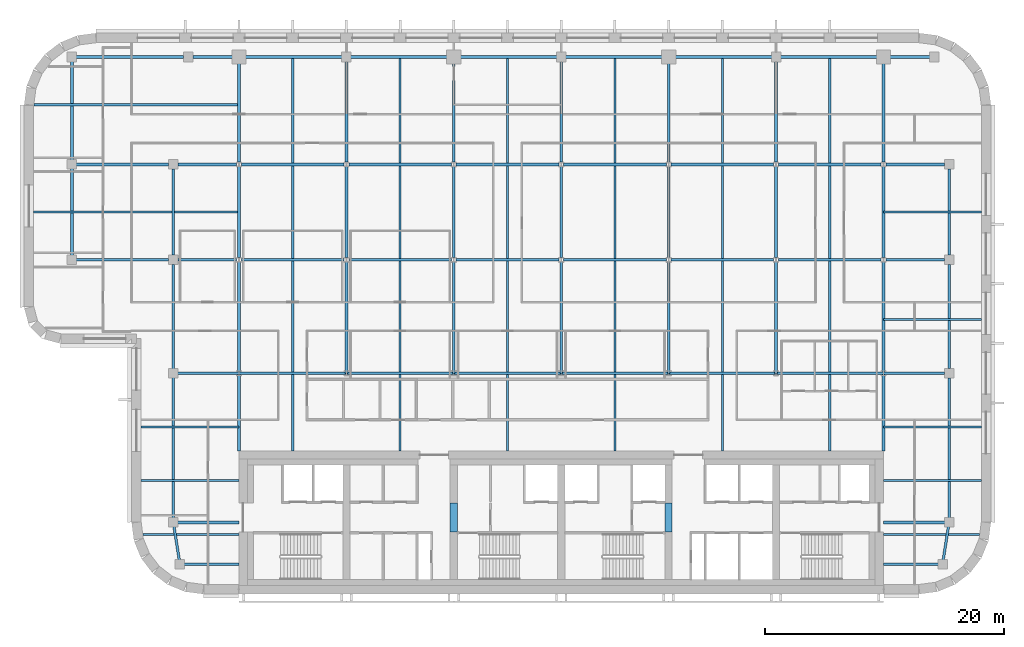
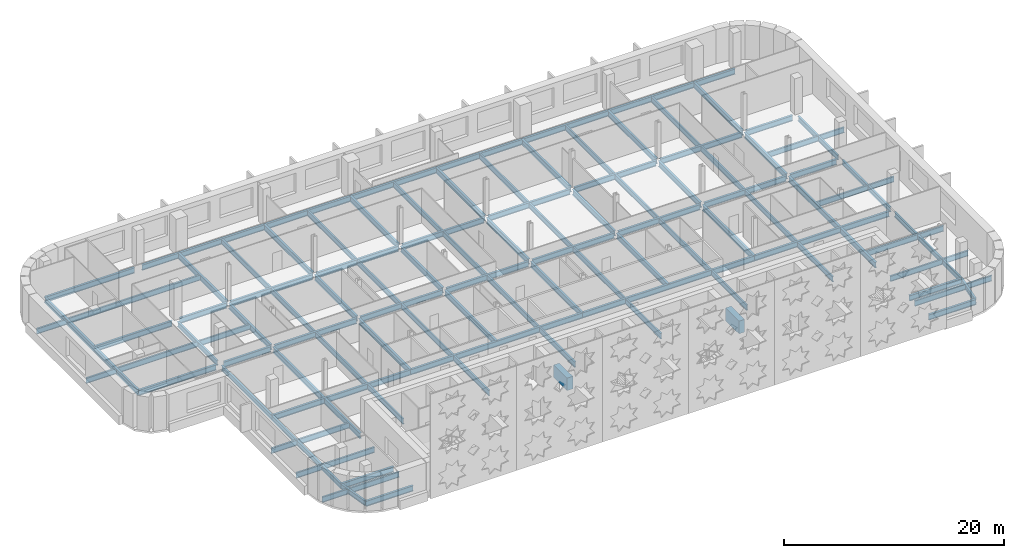
# One storey, part 5 of 18: 80 beams.
"""IFC4 building model written with IfcOpenShell, lengths in metres."""

from ifc_helpers import new_model, si_unit, direction, frame, origin, origin_2d, place, context, subcontext, project, spatial, rectangle, i_section, extrude, material, material_profile, profile_set, type_object, element, save


model = new_model("IFC4")

# Units and contexts
model_context = context("Model", 3, precision=1e-05, world=origin(), true_north=direction((0.0, 1.0)))
body_context = subcontext(model_context, "Body", "Model", "MODEL_VIEW")
ifc_project = project(units=[si_unit("LENGTHUNIT", "METRE"), si_unit("AREAUNIT", "SQUARE_METRE"), si_unit("VOLUMEUNIT", "CUBIC_METRE"), si_unit("PLANEANGLEUNIT", "RADIAN"), si_unit("MASSUNIT", "GRAM", prefix="KILO")], contexts=[model_context])

# Site, building, storey
site_placement = place(None, origin())
site = spatial("IfcSite", under=ifc_project, at=site_placement, CompositionType="ELEMENT")
building_placement = place(site_placement, origin())
building = spatial("IfcBuilding", under=site, at=building_placement, Name="Zellij Exchange Tower", CompositionType="ELEMENT")
storey_placement = place(building_placement, frame((0.0, 0.0, 228.5)))
storey = spatial("IfcBuildingStorey", under=building, at=storey_placement, Name="L53", CompositionType="ELEMENT", Elevation=228.5)

# Beams
ifc_material_1 = material(Name="Concrete C50/60", Category="concrete")
ifc_material_profile_1 = material_profile(ifc_material_1, rectangle(XDim=0.60009765625, YDim=1.39990234375, at=origin_2d()), Name="CORE-CB 600x1400 C50/60")
ifc_profile_set_1 = profile_set([ifc_material_profile_1], Name="Concrete C50/60")
beam_type_1 = type_object("IfcBeamType", Name="CORE-CB 600x1400 C50/60", PredefinedType="BEAM", material=ifc_profile_set_1)
for number, where, z_axis, x_axis, name in (
    (1, (-9.0, -8.800048828125, 3.10009765625), (0.0, 1.0, 0.0), (-1.0, 0.0, 0.0), "Core coupling beam x -9 L53"),
    (2, (9.0, -8.800048828125, 3.10009765625), (0.0, 1.0, 0.0), (-1.0, 0.0, 0.0), "Core coupling beam x 9 L53"),
):
    element("IfcBeam", number, at=place(storey_placement, frame(where, z_axis=z_axis, x_axis=x_axis)), inside=storey, type_object=beam_type_1, Name=name, PredefinedType="BEAM", context=body_context, shape_type="SweptSolid", body=[
        extrude(rectangle(XDim=0.60009765625, YDim=1.39990234375, at=origin_2d()), origin(), (0.0, 0.0, 1.0), 2.425048828125),
    ])
ifc_material_2 = material(Name="Structural steel ASTM A992 Gr 50", Category="steel")
ifc_material_profile_2 = material_profile(ifc_material_2, i_section(OverallWidth=0.177978515625, OverallDepth=0.599365234375, WebThickness=0.010009765625, FlangeThickness=0.012939453125, at=origin_2d()), Name="W24x55")
ifc_profile_set_2 = profile_set([ifc_material_profile_2], Name="Structural steel ASTM A992 Gr 50")
beam_type_2 = type_object("IfcBeamType", Name="STR-BEAM W24x55", PredefinedType="BEAM", material=ifc_profile_set_2)
for number, where, z_axis, x_axis, name in (
    (3, (-22.5, -2.0, -0.499755859375), (0.0, 1.0, 0.0), (-1.0, 0.0, 0.0), "B4"),
    (4, (-13.5, -2.0, -0.499755859375), (0.0, 1.0, 0.0), (-1.0, 0.0, 0.0), "B4"),
    (5, (-4.5, -2.0, -0.499755859375), (0.0, 1.0, 0.0), (-1.0, 0.0, 0.0), "B4"),
    (6, (4.5, -2.0, -0.499755859375), (0.0, 1.0, 0.0), (-1.0, 0.0, 0.0), "B4"),
    (7, (13.5, -2.0, -0.499755859375), (0.0, 1.0, 0.0), (-1.0, 0.0, 0.0), "B4"),
    (8, (22.5, -2.0, -0.499755859375), (0.0, 1.0, 0.0), (-1.0, 0.0, 0.0), "B4"),
):
    element("IfcBeam", number, at=place(storey_placement, frame(where, z_axis=z_axis, x_axis=x_axis)), inside=storey, type_object=beam_type_2, Name=name, PredefinedType="BEAM", context=body_context, shape_type="SweptSolid", body=[
        extrude(i_section(OverallWidth=0.177978515625, OverallDepth=0.599365234375, WebThickness=0.010009765625, FlangeThickness=0.012939453125, at=origin_2d()), origin(), (0.0, 0.0, 1.0), 33.1142578125),
    ])
beam_1_placement = place(storey_placement, frame((-35.06103515625, -9.0, -0.499755859375), z_axis=(1.0, 0.0, 0.0), x_axis=(0.0, 1.0, 0.0)))
element("IfcBeam", 9, at=beam_1_placement, inside=storey, type_object=beam_type_2, Name="B4", PredefinedType="BEAM", context=body_context, shape_type="SweptSolid", body=[
    extrude(i_section(OverallWidth=0.177978515625, OverallDepth=0.599365234375, WebThickness=0.010009765625, FlangeThickness=0.012939453125, at=origin_2d()), origin(), (0.0, 0.0, 1.0), 8.06103515625),
])
for number, where, z_axis, x_axis, name in (
    (10, (-35.199951171875, -4.5, -0.499755859375), (1.0, 0.0, 0.0), (0.0, 1.0, 0.0), "B4"),
    (11, (-35.199951171875, 0.0, -0.499755859375), (1.0, 0.0, 0.0), (0.0, 1.0, 0.0), "B4"),
):
    element("IfcBeam", number, at=place(storey_placement, frame(where, z_axis=z_axis, x_axis=x_axis)), inside=storey, type_object=beam_type_2, Name=name, PredefinedType="BEAM", context=body_context, shape_type="SweptSolid", body=[
        extrude(i_section(OverallWidth=0.177978515625, OverallDepth=0.599365234375, WebThickness=0.010009765625, FlangeThickness=0.012939453125, at=origin_2d()), origin(), (0.0, 0.0, 1.0), 8.199951171875),
    ])
beam_2_placement = place(storey_placement, frame((-44.199951171875, 18.0, -0.499755859375), z_axis=(1.0, 0.0, 0.0), x_axis=(0.0, 1.0, 0.0)))
element("IfcBeam", 12, at=beam_2_placement, inside=storey, type_object=beam_type_2, Name="B4", PredefinedType="BEAM", context=body_context, shape_type="SweptSolid", body=[
    extrude(i_section(OverallWidth=0.177978515625, OverallDepth=0.599365234375, WebThickness=0.010009765625, FlangeThickness=0.012939453125, at=origin_2d()), origin(), (0.0, 0.0, 1.0), 17.199951171875),
])
beam_3_placement = place(storey_placement, frame((-44.193115234375, 27.0, -0.499755859375), z_axis=(1.0, 0.0, 0.0), x_axis=(0.0, 1.0, 0.0)))
element("IfcBeam", 13, at=beam_3_placement, inside=storey, type_object=beam_type_2, Name="B4", PredefinedType="BEAM", context=body_context, shape_type="SweptSolid", body=[
    extrude(i_section(OverallWidth=0.177978515625, OverallDepth=0.599365234375, WebThickness=0.010009765625, FlangeThickness=0.012939453125, at=origin_2d()), origin(), (0.0, 0.0, 1.0), 17.193115234375),
])
beam_4_placement = place(storey_placement, frame((27.0, -9.0, -0.499755859375), z_axis=(1.0, 0.0, 0.0), x_axis=(0.0, 1.0, 0.0)))
element("IfcBeam", 14, at=beam_4_placement, inside=storey, type_object=beam_type_2, Name="B4", PredefinedType="BEAM", context=body_context, shape_type="SweptSolid", body=[
    extrude(i_section(OverallWidth=0.177978515625, OverallDepth=0.599365234375, WebThickness=0.010009765625, FlangeThickness=0.012939453125, at=origin_2d()), origin(), (0.0, 0.0, 1.0), 8.06103515625),
])
for number, where, z_axis, x_axis, name in (
    (15, (27.0, -4.5, -0.499755859375), (1.0, 0.0, 0.0), (0.0, 1.0, 0.0), "B4"),
    (16, (27.0, 0.0, -0.499755859375), (1.0, 0.0, 0.0), (0.0, 1.0, 0.0), "B4"),
    (17, (27.0, 9.0, -0.499755859375), (1.0, 0.0, 0.0), (0.0, 1.0, 0.0), "B4"),
    (18, (27.0, 18.0, -0.499755859375), (1.0, 0.0, 0.0), (0.0, 1.0, 0.0), "B4"),
):
    element("IfcBeam", number, at=place(storey_placement, frame(where, z_axis=z_axis, x_axis=x_axis)), inside=storey, type_object=beam_type_2, Name=name, PredefinedType="BEAM", context=body_context, shape_type="SweptSolid", body=[
        extrude(i_section(OverallWidth=0.177978515625, OverallDepth=0.599365234375, WebThickness=0.010009765625, FlangeThickness=0.012939453125, at=origin_2d()), origin(), (0.0, 0.0, 1.0), 8.199951171875),
    ])
ifc_material_profile_3 = material_profile(ifc_material_2, i_section(OverallWidth=0.209228515625, OverallDepth=0.533447265625, WebThickness=0.01025390625, FlangeThickness=0.015625, at=origin_2d()), Name="W21x62")
ifc_profile_set_3 = profile_set([ifc_material_profile_3], Name="Structural steel ASTM A992 Gr 50")
beam_type_3 = type_object("IfcBeamType", Name="STR-EDGE GIRDER W21x62", PredefinedType="BEAM", material=ifc_profile_set_3)
beam_5_placement = place(storey_placement, frame((-31.949951171875, -11.5, -0.466796875), z_axis=(-0.155251283593, 0.987875011802, 0.0), x_axis=(-0.987875011802, -0.155251283593, 0.0)))
element("IfcBeam", 19, at=beam_5_placement, inside=storey, type_object=beam_type_3, Name="EB3", PredefinedType="BEAM", context=body_context, shape_type="SweptSolid", body=[
    extrude(i_section(OverallWidth=0.209228515625, OverallDepth=0.533447265625, WebThickness=0.01025390625, FlangeThickness=0.015625, at=origin_2d()), origin(), (0.0, 0.0, 1.0), 3.54296875),
])
beam_6_placement = place(storey_placement, frame((-32.5, -8.0, -0.466796875), z_axis=(0.0, 1.0, 0.0), x_axis=(-1.0, 0.0, 0.0)))
element("IfcBeam", 20, at=beam_6_placement, inside=storey, type_object=beam_type_3, Name="EB3", PredefinedType="BEAM", context=body_context, shape_type="SweptSolid", body=[
    extrude(i_section(OverallWidth=0.209228515625, OverallDepth=0.533447265625, WebThickness=0.01025390625, FlangeThickness=0.015625, at=origin_2d()), origin(), (0.0, 0.0, 1.0), 12.5),
])
beam_7_placement = place(storey_placement, frame((-32.5, 4.5, -0.466796875), z_axis=(0.0, 1.0, 0.0), x_axis=(-1.0, 0.0, 0.0)))
element("IfcBeam", 21, at=beam_7_placement, inside=storey, type_object=beam_type_3, Name="EB3", PredefinedType="BEAM", context=body_context, shape_type="SweptSolid", body=[
    extrude(i_section(OverallWidth=0.209228515625, OverallDepth=0.533447265625, WebThickness=0.01025390625, FlangeThickness=0.015625, at=origin_2d()), origin(), (0.0, 0.0, 1.0), 9.10009765625),
])
beam_8_placement = place(storey_placement, frame((-32.5, 14.39990234375, -0.466796875), z_axis=(0.0, 1.0, 0.0), x_axis=(-1.0, 0.0, 0.0)))
element("IfcBeam", 22, at=beam_8_placement, inside=storey, type_object=beam_type_3, Name="EB3", PredefinedType="BEAM", context=body_context, shape_type="SweptSolid", body=[
    extrude(i_section(OverallWidth=0.209228515625, OverallDepth=0.533447265625, WebThickness=0.01025390625, FlangeThickness=0.015625, at=origin_2d()), origin(), (0.0, 0.0, 1.0), 7.2001953125),
])
beam_9_placement = place(storey_placement, frame((31.949951171875, -11.5, -0.466796875), z_axis=(0.155251283593, 0.987875011802, 0.0), x_axis=(-0.987875011802, 0.155251283593, 0.0)))
element("IfcBeam", 23, at=beam_9_placement, inside=storey, type_object=beam_type_3, Name="EB3", PredefinedType="BEAM", context=body_context, shape_type="SweptSolid", body=[
    extrude(i_section(OverallWidth=0.209228515625, OverallDepth=0.533447265625, WebThickness=0.01025390625, FlangeThickness=0.015625, at=origin_2d()), origin(), (0.0, 0.0, 1.0), 3.54296875),
])
beam_10_placement = place(storey_placement, frame((32.5, -8.0, -0.466796875), z_axis=(0.0, 1.0, 0.0), x_axis=(-1.0, 0.0, 0.0)))
element("IfcBeam", 24, at=beam_10_placement, inside=storey, type_object=beam_type_3, Name="EB3", PredefinedType="BEAM", context=body_context, shape_type="SweptSolid", body=[
    extrude(i_section(OverallWidth=0.209228515625, OverallDepth=0.533447265625, WebThickness=0.01025390625, FlangeThickness=0.015625, at=origin_2d()), origin(), (0.0, 0.0, 1.0), 12.10009765625),
])
beam_11_placement = place(storey_placement, frame((32.5, 4.89990234375, -0.466796875), z_axis=(0.0, 1.0, 0.0), x_axis=(-1.0, 0.0, 0.0)))
element("IfcBeam", 25, at=beam_11_placement, inside=storey, type_object=beam_type_3, Name="EB3", PredefinedType="BEAM", context=body_context, shape_type="SweptSolid", body=[
    extrude(i_section(OverallWidth=0.209228515625, OverallDepth=0.533447265625, WebThickness=0.01025390625, FlangeThickness=0.015625, at=origin_2d()), origin(), (0.0, 0.0, 1.0), 8.7001953125),
])
beam_12_placement = place(storey_placement, frame((32.5, 14.39990234375, -0.466796875), z_axis=(0.0, 1.0, 0.0), x_axis=(-1.0, 0.0, 0.0)))
element("IfcBeam", 26, at=beam_12_placement, inside=storey, type_object=beam_type_3, Name="EB3", PredefinedType="BEAM", context=body_context, shape_type="SweptSolid", body=[
    extrude(i_section(OverallWidth=0.209228515625, OverallDepth=0.533447265625, WebThickness=0.01025390625, FlangeThickness=0.015625, at=origin_2d()), origin(), (0.0, 0.0, 1.0), 7.2001953125),
])
ifc_material_profile_4 = material_profile(ifc_material_2, i_section(OverallWidth=0.228271484375, OverallDepth=0.607177734375, WebThickness=0.01123046875, FlangeThickness=0.017333984375, at=origin_2d()), Name="W24x76")
ifc_profile_set_4 = profile_set([ifc_material_profile_4], Name="Structural steel ASTM A992 Gr 50")
beam_type_4 = type_object("IfcBeamType", Name="STR-GIRDER W24x76", PredefinedType="BEAM", material=ifc_profile_set_4)
for number, where, z_axis, x_axis, name in (
    (27, (-31.949951171875, -11.5, -0.50341796875), (1.0, 0.0, 0.0), (0.0, 1.0, 0.0), "G2"),
    (28, (27.0, -11.5, -0.50341796875), (1.0, 0.0, 0.0), (0.0, 1.0, 0.0), "G2"),
):
    element("IfcBeam", number, at=place(storey_placement, frame(where, z_axis=z_axis, x_axis=x_axis)), inside=storey, type_object=beam_type_4, Name=name, PredefinedType="BEAM", context=body_context, shape_type="SweptSolid", body=[
        extrude(i_section(OverallWidth=0.228271484375, OverallDepth=0.607177734375, WebThickness=0.01123046875, FlangeThickness=0.017333984375, at=origin_2d()), origin(), (0.0, 0.0, 1.0), 4.949951171875),
    ])
for number, where, z_axis, x_axis, name in (
    (29, (-32.5, -8.0, -0.50341796875), (1.0, 0.0, 0.0), (0.0, 1.0, 0.0), "G2"),
    (30, (27.0, -8.0, -0.50341796875), (1.0, 0.0, 0.0), (0.0, 1.0, 0.0), "G2"),
):
    element("IfcBeam", number, at=place(storey_placement, frame(where, z_axis=z_axis, x_axis=x_axis)), inside=storey, type_object=beam_type_4, Name=name, PredefinedType="BEAM", context=body_context, shape_type="SweptSolid", body=[
        extrude(i_section(OverallWidth=0.228271484375, OverallDepth=0.607177734375, WebThickness=0.01123046875, FlangeThickness=0.017333984375, at=origin_2d()), origin(), (0.0, 0.0, 1.0), 5.5),
    ])
beam_13_placement = place(storey_placement, frame((-32.5, 4.5, -0.50341796875), z_axis=(1.0, 0.0, 0.0), x_axis=(0.0, 1.0, 0.0)))
element("IfcBeam", 31, at=beam_13_placement, inside=storey, type_object=beam_type_4, Name="G2", PredefinedType="BEAM", context=body_context, shape_type="SweptSolid", body=[
    extrude(i_section(OverallWidth=0.228271484375, OverallDepth=0.607177734375, WebThickness=0.01123046875, FlangeThickness=0.017333984375, at=origin_2d()), origin(), (0.0, 0.0, 1.0), 14.5),
])
for number, where, z_axis, x_axis, name in (
    (32, (-18.0, 4.5, -0.50341796875), (1.0, 0.0, 0.0), (0.0, 1.0, 0.0), "G2"),
    (33, (0.0, 4.5, -0.50341796875), (1.0, 0.0, 0.0), (0.0, 1.0, 0.0), "G2"),
):
    element("IfcBeam", number, at=place(storey_placement, frame(where, z_axis=z_axis, x_axis=x_axis)), inside=storey, type_object=beam_type_4, Name=name, PredefinedType="BEAM", context=body_context, shape_type="SweptSolid", body=[
        extrude(i_section(OverallWidth=0.228271484375, OverallDepth=0.607177734375, WebThickness=0.01123046875, FlangeThickness=0.017333984375, at=origin_2d()), origin(), (0.0, 0.0, 1.0), 18.0),
    ])
beam_14_placement = place(storey_placement, frame((18.0, 4.5, -0.50341796875), z_axis=(1.0, 0.0, 0.0), x_axis=(0.0, 1.0, 0.0)))
element("IfcBeam", 34, at=beam_14_placement, inside=storey, type_object=beam_type_4, Name="G2", PredefinedType="BEAM", context=body_context, shape_type="SweptSolid", body=[
    extrude(i_section(OverallWidth=0.228271484375, OverallDepth=0.607177734375, WebThickness=0.01123046875, FlangeThickness=0.017333984375, at=origin_2d()), origin(), (0.0, 0.0, 1.0), 14.10009765625),
])
beam_15_placement = place(storey_placement, frame((-41.0, 14.0, -0.50341796875), z_axis=(1.0, 0.0, 0.0), x_axis=(0.0, 1.0, 0.0)))
element("IfcBeam", 35, at=beam_15_placement, inside=storey, type_object=beam_type_4, Name="G2", PredefinedType="BEAM", context=body_context, shape_type="SweptSolid", body=[
    extrude(i_section(OverallWidth=0.228271484375, OverallDepth=0.607177734375, WebThickness=0.01123046875, FlangeThickness=0.017333984375, at=origin_2d()), origin(), (0.0, 0.0, 1.0), 8.10009765625),
])
beam_16_placement = place(storey_placement, frame((-32.10009765625, 14.0, -0.50341796875), z_axis=(1.0, 0.0, 0.0), x_axis=(0.0, 1.0, 0.0)))
element("IfcBeam", 36, at=beam_16_placement, inside=storey, type_object=beam_type_4, Name="G2", PredefinedType="BEAM", context=body_context, shape_type="SweptSolid", body=[
    extrude(i_section(OverallWidth=0.228271484375, OverallDepth=0.607177734375, WebThickness=0.01123046875, FlangeThickness=0.017333984375, at=origin_2d()), origin(), (0.0, 0.0, 1.0), 4.900634765625),
])
for number, where, z_axis, x_axis, name in (
    (37, (-26.800537109375, 14.0, -0.50341796875), (1.0, 0.0, 0.0), (0.0, 1.0, 0.0), "G2"),
    (38, (-17.800537109375, 14.0, -0.50341796875), (1.0, 0.0, 0.0), (0.0, 1.0, 0.0), "G2"),
    (39, (-8.800537109375, 14.0, -0.50341796875), (1.0, 0.0, 0.0), (0.0, 1.0, 0.0), "G2"),
    (40, (0.199462890625, 14.0, -0.50341796875), (1.0, 0.0, 0.0), (0.0, 1.0, 0.0), "G2"),
    (41, (9.199462890625, 14.0, -0.50341796875), (1.0, 0.0, 0.0), (0.0, 1.0, 0.0), "G2"),
    (42, (18.199462890625, 14.0, -0.50341796875), (1.0, 0.0, 0.0), (0.0, 1.0, 0.0), "G2"),
):
    element("IfcBeam", number, at=place(storey_placement, frame(where, z_axis=z_axis, x_axis=x_axis)), inside=storey, type_object=beam_type_4, Name=name, PredefinedType="BEAM", context=body_context, shape_type="SweptSolid", body=[
        extrude(i_section(OverallWidth=0.228271484375, OverallDepth=0.607177734375, WebThickness=0.01123046875, FlangeThickness=0.017333984375, at=origin_2d()), origin(), (0.0, 0.0, 1.0), 8.60107421875),
    ])
beam_17_placement = place(storey_placement, frame((27.199462890625, 14.0, -0.50341796875), z_axis=(1.0, 0.0, 0.0), x_axis=(0.0, 1.0, 0.0)))
element("IfcBeam", 43, at=beam_17_placement, inside=storey, type_object=beam_type_4, Name="G2", PredefinedType="BEAM", context=body_context, shape_type="SweptSolid", body=[
    extrude(i_section(OverallWidth=0.228271484375, OverallDepth=0.607177734375, WebThickness=0.01123046875, FlangeThickness=0.017333984375, at=origin_2d()), origin(), (0.0, 0.0, 1.0), 4.900634765625),
])
beam_18_placement = place(storey_placement, frame((-41.0, 22.0, -0.50341796875), z_axis=(1.0, 0.0, 0.0), x_axis=(0.0, 1.0, 0.0)))
element("IfcBeam", 44, at=beam_18_placement, inside=storey, type_object=beam_type_4, Name="G2", PredefinedType="BEAM", context=body_context, shape_type="SweptSolid", body=[
    extrude(i_section(OverallWidth=0.228271484375, OverallDepth=0.607177734375, WebThickness=0.01123046875, FlangeThickness=0.017333984375, at=origin_2d()), origin(), (0.0, 0.0, 1.0), 8.10009765625),
])
beam_19_placement = place(storey_placement, frame((-32.10009765625, 22.0, -0.50341796875), z_axis=(1.0, 0.0, 0.0), x_axis=(0.0, 1.0, 0.0)))
element("IfcBeam", 45, at=beam_19_placement, inside=storey, type_object=beam_type_4, Name="G2", PredefinedType="BEAM", context=body_context, shape_type="SweptSolid", body=[
    extrude(i_section(OverallWidth=0.228271484375, OverallDepth=0.607177734375, WebThickness=0.01123046875, FlangeThickness=0.017333984375, at=origin_2d()), origin(), (0.0, 0.0, 1.0), 4.900634765625),
])
for number, where, z_axis, x_axis, name in (
    (46, (-26.800537109375, 22.0, -0.50341796875), (1.0, 0.0, 0.0), (0.0, 1.0, 0.0), "G2"),
    (47, (-17.800537109375, 22.0, -0.50341796875), (1.0, 0.0, 0.0), (0.0, 1.0, 0.0), "G2"),
    (48, (-8.800537109375, 22.0, -0.50341796875), (1.0, 0.0, 0.0), (0.0, 1.0, 0.0), "G2"),
    (49, (0.199462890625, 22.0, -0.50341796875), (1.0, 0.0, 0.0), (0.0, 1.0, 0.0), "G2"),
    (50, (9.199462890625, 22.0, -0.50341796875), (1.0, 0.0, 0.0), (0.0, 1.0, 0.0), "G2"),
    (51, (18.199462890625, 22.0, -0.50341796875), (1.0, 0.0, 0.0), (0.0, 1.0, 0.0), "G2"),
):
    element("IfcBeam", number, at=place(storey_placement, frame(where, z_axis=z_axis, x_axis=x_axis)), inside=storey, type_object=beam_type_4, Name=name, PredefinedType="BEAM", context=body_context, shape_type="SweptSolid", body=[
        extrude(i_section(OverallWidth=0.228271484375, OverallDepth=0.607177734375, WebThickness=0.01123046875, FlangeThickness=0.017333984375, at=origin_2d()), origin(), (0.0, 0.0, 1.0), 8.60107421875),
    ])
beam_20_placement = place(storey_placement, frame((27.199462890625, 22.0, -0.50341796875), z_axis=(1.0, 0.0, 0.0), x_axis=(0.0, 1.0, 0.0)))
element("IfcBeam", 52, at=beam_20_placement, inside=storey, type_object=beam_type_4, Name="G2", PredefinedType="BEAM", context=body_context, shape_type="SweptSolid", body=[
    extrude(i_section(OverallWidth=0.228271484375, OverallDepth=0.607177734375, WebThickness=0.01123046875, FlangeThickness=0.017333984375, at=origin_2d()), origin(), (0.0, 0.0, 1.0), 4.900634765625),
])
beam_21_placement = place(storey_placement, frame((-41.0, 31.0, -0.50341796875), z_axis=(1.0, 0.0, 0.0), x_axis=(0.0, 1.0, 0.0)))
element("IfcBeam", 53, at=beam_21_placement, inside=storey, type_object=beam_type_4, Name="G2", PredefinedType="BEAM", context=body_context, shape_type="SweptSolid", body=[
    extrude(i_section(OverallWidth=0.228271484375, OverallDepth=0.607177734375, WebThickness=0.01123046875, FlangeThickness=0.017333984375, at=origin_2d()), origin(), (0.0, 0.0, 1.0), 9.35009765625),
])
beam_22_placement = place(storey_placement, frame((-30.85009765625, 31.0, -0.50341796875), z_axis=(1.0, 0.0, 0.0), x_axis=(0.0, 1.0, 0.0)))
element("IfcBeam", 54, at=beam_22_placement, inside=storey, type_object=beam_type_4, Name="G2", PredefinedType="BEAM", context=body_context, shape_type="SweptSolid", body=[
    extrude(i_section(OverallWidth=0.228271484375, OverallDepth=0.607177734375, WebThickness=0.01123046875, FlangeThickness=0.017333984375, at=origin_2d()), origin(), (0.0, 0.0, 1.0), 3.85009765625),
])
for number, where, z_axis, x_axis, name in (
    (55, (-27.0, 31.0, -0.50341796875), (1.0, 0.0, 0.0), (0.0, 1.0, 0.0), "G2"),
    (56, (-9.0, 31.0, -0.50341796875), (1.0, 0.0, 0.0), (0.0, 1.0, 0.0), "G2"),
    (57, (9.0, 31.0, -0.50341796875), (1.0, 0.0, 0.0), (0.0, 1.0, 0.0), "G2"),
):
    element("IfcBeam", number, at=place(storey_placement, frame(where, z_axis=z_axis, x_axis=x_axis)), inside=storey, type_object=beam_type_4, Name=name, PredefinedType="BEAM", context=body_context, shape_type="SweptSolid", body=[
        extrude(i_section(OverallWidth=0.228271484375, OverallDepth=0.607177734375, WebThickness=0.01123046875, FlangeThickness=0.017333984375, at=origin_2d()), origin(), (0.0, 0.0, 1.0), 18.0),
    ])
beam_23_placement = place(storey_placement, frame((27.0, 31.0, -0.50341796875), z_axis=(1.0, 0.0, 0.0), x_axis=(0.0, 1.0, 0.0)))
element("IfcBeam", 58, at=beam_23_placement, inside=storey, type_object=beam_type_4, Name="G2", PredefinedType="BEAM", context=body_context, shape_type="SweptSolid", body=[
    extrude(i_section(OverallWidth=0.228271484375, OverallDepth=0.607177734375, WebThickness=0.01123046875, FlangeThickness=0.017333984375, at=origin_2d()), origin(), (0.0, 0.0, 1.0), 4.25),
])
beam_24_placement = place(storey_placement, frame((-41.0, 14.0, -0.50341796875), z_axis=(0.0, 1.0, 0.0), x_axis=(-1.0, 0.0, 0.0)))
element("IfcBeam", 59, at=beam_24_placement, inside=storey, type_object=beam_type_4, Name="G2", PredefinedType="BEAM", context=body_context, shape_type="SweptSolid", body=[
    extrude(i_section(OverallWidth=0.228271484375, OverallDepth=0.607177734375, WebThickness=0.01123046875, FlangeThickness=0.017333984375, at=origin_2d()), origin(), (0.0, 0.0, 1.0), 17.0),
])
beam_25_placement = place(storey_placement, frame((-27.0, -2.0, -0.50341796875), z_axis=(0.0, 1.0, 0.0), x_axis=(-1.0, 0.0, 0.0)))
element("IfcBeam", 60, at=beam_25_placement, inside=storey, type_object=beam_type_4, Name="G2", PredefinedType="BEAM", context=body_context, shape_type="SweptSolid", body=[
    extrude(i_section(OverallWidth=0.228271484375, OverallDepth=0.607177734375, WebThickness=0.01123046875, FlangeThickness=0.017333984375, at=origin_2d()), origin(), (0.0, 0.0, 1.0), 15.806884765625),
])
beam_26_placement = place(storey_placement, frame((-27.0, 14.193115234375, -0.50341796875), z_axis=(0.0, 1.0, 0.0), x_axis=(-1.0, 0.0, 0.0)))
element("IfcBeam", 61, at=beam_26_placement, inside=storey, type_object=beam_type_4, Name="G2", PredefinedType="BEAM", context=body_context, shape_type="SweptSolid", body=[
    extrude(i_section(OverallWidth=0.228271484375, OverallDepth=0.607177734375, WebThickness=0.01123046875, FlangeThickness=0.017333984375, at=origin_2d()), origin(), (0.0, 0.0, 1.0), 7.61376953125),
])
beam_27_placement = place(storey_placement, frame((-27.0, 22.193115234375, -0.50341796875), z_axis=(0.0, 1.0, 0.0), x_axis=(-1.0, 0.0, 0.0)))
element("IfcBeam", 62, at=beam_27_placement, inside=storey, type_object=beam_type_4, Name="G2", PredefinedType="BEAM", context=body_context, shape_type="SweptSolid", body=[
    extrude(i_section(OverallWidth=0.228271484375, OverallDepth=0.607177734375, WebThickness=0.01123046875, FlangeThickness=0.017333984375, at=origin_2d()), origin(), (0.0, 0.0, 1.0), 8.806884765625),
])
beam_28_placement = place(storey_placement, frame((-18.0, 4.5, -0.50341796875), z_axis=(0.0, 1.0, 0.0), x_axis=(-1.0, 0.0, 0.0)))
element("IfcBeam", 63, at=beam_28_placement, inside=storey, type_object=beam_type_4, Name="G2", PredefinedType="BEAM", context=body_context, shape_type="SweptSolid", body=[
    extrude(i_section(OverallWidth=0.228271484375, OverallDepth=0.607177734375, WebThickness=0.01123046875, FlangeThickness=0.017333984375, at=origin_2d()), origin(), (0.0, 0.0, 1.0), 9.306884765625),
])
beam_29_placement = place(storey_placement, frame((-18.0, 14.193115234375, -0.50341796875), z_axis=(0.0, 1.0, 0.0), x_axis=(-1.0, 0.0, 0.0)))
element("IfcBeam", 64, at=beam_29_placement, inside=storey, type_object=beam_type_4, Name="G2", PredefinedType="BEAM", context=body_context, shape_type="SweptSolid", body=[
    extrude(i_section(OverallWidth=0.228271484375, OverallDepth=0.607177734375, WebThickness=0.01123046875, FlangeThickness=0.017333984375, at=origin_2d()), origin(), (0.0, 0.0, 1.0), 7.61376953125),
])
beam_30_placement = place(storey_placement, frame((-18.0, 22.193115234375, -0.50341796875), z_axis=(0.0, 1.0, 0.0), x_axis=(-1.0, 0.0, 0.0)))
element("IfcBeam", 65, at=beam_30_placement, inside=storey, type_object=beam_type_4, Name="G2", PredefinedType="BEAM", context=body_context, shape_type="SweptSolid", body=[
    extrude(i_section(OverallWidth=0.228271484375, OverallDepth=0.607177734375, WebThickness=0.01123046875, FlangeThickness=0.017333984375, at=origin_2d()), origin(), (0.0, 0.0, 1.0), 8.806884765625),
])
beam_31_placement = place(storey_placement, frame((-9.0, 4.5, -0.50341796875), z_axis=(0.0, 1.0, 0.0), x_axis=(-1.0, 0.0, 0.0)))
element("IfcBeam", 66, at=beam_31_placement, inside=storey, type_object=beam_type_4, Name="G2", PredefinedType="BEAM", context=body_context, shape_type="SweptSolid", body=[
    extrude(i_section(OverallWidth=0.228271484375, OverallDepth=0.607177734375, WebThickness=0.01123046875, FlangeThickness=0.017333984375, at=origin_2d()), origin(), (0.0, 0.0, 1.0), 9.306884765625),
])
beam_32_placement = place(storey_placement, frame((-9.0, 14.193115234375, -0.50341796875), z_axis=(0.0, 1.0, 0.0), x_axis=(-1.0, 0.0, 0.0)))
element("IfcBeam", 67, at=beam_32_placement, inside=storey, type_object=beam_type_4, Name="G2", PredefinedType="BEAM", context=body_context, shape_type="SweptSolid", body=[
    extrude(i_section(OverallWidth=0.228271484375, OverallDepth=0.607177734375, WebThickness=0.01123046875, FlangeThickness=0.017333984375, at=origin_2d()), origin(), (0.0, 0.0, 1.0), 7.61376953125),
])
beam_33_placement = place(storey_placement, frame((-9.0, 22.193115234375, -0.50341796875), z_axis=(0.0, 1.0, 0.0), x_axis=(-1.0, 0.0, 0.0)))
element("IfcBeam", 68, at=beam_33_placement, inside=storey, type_object=beam_type_4, Name="G2", PredefinedType="BEAM", context=body_context, shape_type="SweptSolid", body=[
    extrude(i_section(OverallWidth=0.228271484375, OverallDepth=0.607177734375, WebThickness=0.01123046875, FlangeThickness=0.017333984375, at=origin_2d()), origin(), (0.0, 0.0, 1.0), 8.806884765625),
])
beam_34_placement = place(storey_placement, frame((0.0, 4.5, -0.50341796875), z_axis=(0.0, 1.0, 0.0), x_axis=(-1.0, 0.0, 0.0)))
element("IfcBeam", 69, at=beam_34_placement, inside=storey, type_object=beam_type_4, Name="G2", PredefinedType="BEAM", context=body_context, shape_type="SweptSolid", body=[
    extrude(i_section(OverallWidth=0.228271484375, OverallDepth=0.607177734375, WebThickness=0.01123046875, FlangeThickness=0.017333984375, at=origin_2d()), origin(), (0.0, 0.0, 1.0), 9.306884765625),
])
beam_35_placement = place(storey_placement, frame((0.0, 14.193115234375, -0.50341796875), z_axis=(0.0, 1.0, 0.0), x_axis=(-1.0, 0.0, 0.0)))
element("IfcBeam", 70, at=beam_35_placement, inside=storey, type_object=beam_type_4, Name="G2", PredefinedType="BEAM", context=body_context, shape_type="SweptSolid", body=[
    extrude(i_section(OverallWidth=0.228271484375, OverallDepth=0.607177734375, WebThickness=0.01123046875, FlangeThickness=0.017333984375, at=origin_2d()), origin(), (0.0, 0.0, 1.0), 7.61376953125),
])
beam_36_placement = place(storey_placement, frame((0.0, 22.193115234375, -0.50341796875), z_axis=(0.0, 1.0, 0.0), x_axis=(-1.0, 0.0, 0.0)))
element("IfcBeam", 71, at=beam_36_placement, inside=storey, type_object=beam_type_4, Name="G2", PredefinedType="BEAM", context=body_context, shape_type="SweptSolid", body=[
    extrude(i_section(OverallWidth=0.228271484375, OverallDepth=0.607177734375, WebThickness=0.01123046875, FlangeThickness=0.017333984375, at=origin_2d()), origin(), (0.0, 0.0, 1.0), 8.806884765625),
])
beam_37_placement = place(storey_placement, frame((9.0, 4.5, -0.50341796875), z_axis=(0.0, 1.0, 0.0), x_axis=(-1.0, 0.0, 0.0)))
element("IfcBeam", 72, at=beam_37_placement, inside=storey, type_object=beam_type_4, Name="G2", PredefinedType="BEAM", context=body_context, shape_type="SweptSolid", body=[
    extrude(i_section(OverallWidth=0.228271484375, OverallDepth=0.607177734375, WebThickness=0.01123046875, FlangeThickness=0.017333984375, at=origin_2d()), origin(), (0.0, 0.0, 1.0), 9.306884765625),
])
beam_38_placement = place(storey_placement, frame((9.0, 14.193115234375, -0.50341796875), z_axis=(0.0, 1.0, 0.0), x_axis=(-1.0, 0.0, 0.0)))
element("IfcBeam", 73, at=beam_38_placement, inside=storey, type_object=beam_type_4, Name="G2", PredefinedType="BEAM", context=body_context, shape_type="SweptSolid", body=[
    extrude(i_section(OverallWidth=0.228271484375, OverallDepth=0.607177734375, WebThickness=0.01123046875, FlangeThickness=0.017333984375, at=origin_2d()), origin(), (0.0, 0.0, 1.0), 7.61376953125),
])
beam_39_placement = place(storey_placement, frame((9.0, 22.193115234375, -0.50341796875), z_axis=(0.0, 1.0, 0.0), x_axis=(-1.0, 0.0, 0.0)))
element("IfcBeam", 74, at=beam_39_placement, inside=storey, type_object=beam_type_4, Name="G2", PredefinedType="BEAM", context=body_context, shape_type="SweptSolid", body=[
    extrude(i_section(OverallWidth=0.228271484375, OverallDepth=0.607177734375, WebThickness=0.01123046875, FlangeThickness=0.017333984375, at=origin_2d()), origin(), (0.0, 0.0, 1.0), 8.806884765625),
])
beam_40_placement = place(storey_placement, frame((18.0, 4.5, -0.50341796875), z_axis=(0.0, 1.0, 0.0), x_axis=(-1.0, 0.0, 0.0)))
element("IfcBeam", 75, at=beam_40_placement, inside=storey, type_object=beam_type_4, Name="G2", PredefinedType="BEAM", context=body_context, shape_type="SweptSolid", body=[
    extrude(i_section(OverallWidth=0.228271484375, OverallDepth=0.607177734375, WebThickness=0.01123046875, FlangeThickness=0.017333984375, at=origin_2d()), origin(), (0.0, 0.0, 1.0), 9.306884765625),
])
beam_41_placement = place(storey_placement, frame((18.0, 14.193115234375, -0.50341796875), z_axis=(0.0, 1.0, 0.0), x_axis=(-1.0, 0.0, 0.0)))
element("IfcBeam", 76, at=beam_41_placement, inside=storey, type_object=beam_type_4, Name="G2", PredefinedType="BEAM", context=body_context, shape_type="SweptSolid", body=[
    extrude(i_section(OverallWidth=0.228271484375, OverallDepth=0.607177734375, WebThickness=0.01123046875, FlangeThickness=0.017333984375, at=origin_2d()), origin(), (0.0, 0.0, 1.0), 7.61376953125),
])
beam_42_placement = place(storey_placement, frame((18.0, 22.193115234375, -0.50341796875), z_axis=(0.0, 1.0, 0.0), x_axis=(-1.0, 0.0, 0.0)))
element("IfcBeam", 77, at=beam_42_placement, inside=storey, type_object=beam_type_4, Name="G2", PredefinedType="BEAM", context=body_context, shape_type="SweptSolid", body=[
    extrude(i_section(OverallWidth=0.228271484375, OverallDepth=0.607177734375, WebThickness=0.01123046875, FlangeThickness=0.017333984375, at=origin_2d()), origin(), (0.0, 0.0, 1.0), 8.806884765625),
])
beam_43_placement = place(storey_placement, frame((27.0, -2.0, -0.50341796875), z_axis=(0.0, 1.0, 0.0), x_axis=(-1.0, 0.0, 0.0)))
element("IfcBeam", 78, at=beam_43_placement, inside=storey, type_object=beam_type_4, Name="G2", PredefinedType="BEAM", context=body_context, shape_type="SweptSolid", body=[
    extrude(i_section(OverallWidth=0.228271484375, OverallDepth=0.607177734375, WebThickness=0.01123046875, FlangeThickness=0.017333984375, at=origin_2d()), origin(), (0.0, 0.0, 1.0), 15.806884765625),
])
beam_44_placement = place(storey_placement, frame((27.0, 14.193115234375, -0.50341796875), z_axis=(0.0, 1.0, 0.0), x_axis=(-1.0, 0.0, 0.0)))
element("IfcBeam", 79, at=beam_44_placement, inside=storey, type_object=beam_type_4, Name="G2", PredefinedType="BEAM", context=body_context, shape_type="SweptSolid", body=[
    extrude(i_section(OverallWidth=0.228271484375, OverallDepth=0.607177734375, WebThickness=0.01123046875, FlangeThickness=0.017333984375, at=origin_2d()), origin(), (0.0, 0.0, 1.0), 7.61376953125),
])
beam_45_placement = place(storey_placement, frame((27.0, 22.193115234375, -0.50341796875), z_axis=(0.0, 1.0, 0.0), x_axis=(-1.0, 0.0, 0.0)))
element("IfcBeam", 80, at=beam_45_placement, inside=storey, type_object=beam_type_4, Name="G2", PredefinedType="BEAM", context=body_context, shape_type="SweptSolid", body=[
    extrude(i_section(OverallWidth=0.228271484375, OverallDepth=0.607177734375, WebThickness=0.01123046875, FlangeThickness=0.017333984375, at=origin_2d()), origin(), (0.0, 0.0, 1.0), 8.806884765625),
])

save(model, "model.ifc")
